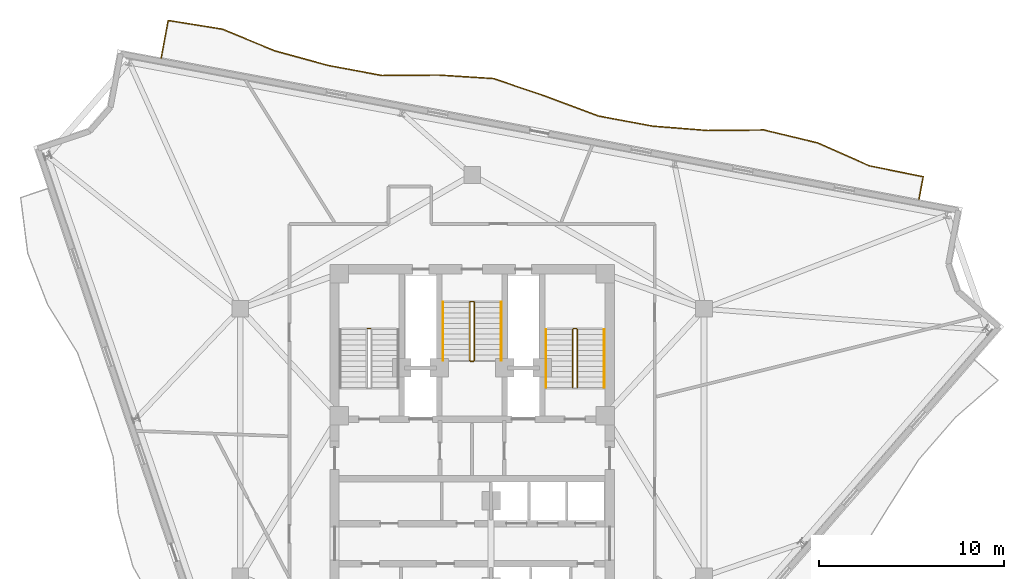
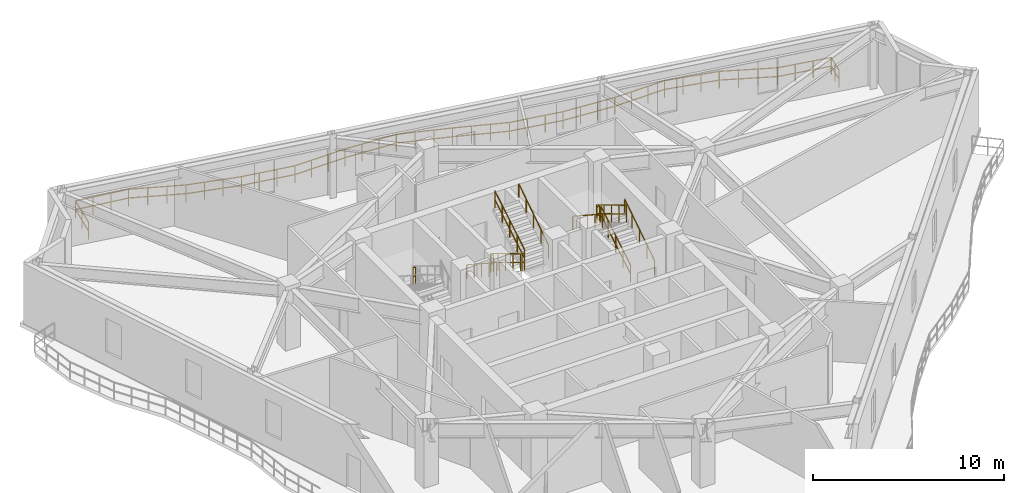
# One storey, part 9 of 9: 13 railings.
"""IFC4 building model written with IfcOpenShell, lengths in metres."""

from ifc_helpers import new_model, si_unit, direction, frame, origin, origin_2d, place, context, subcontext, project, spatial, rectangle, extrude, material, type_object, element, save


model = new_model("IFC4")

# Units and contexts
model_context = context("Model", 3, precision=1e-05, world=origin(), true_north=direction((0.0, 1.0)))
body_context = subcontext(model_context, "Body", "Model", "MODEL_VIEW")
ifc_project = project(units=[si_unit("LENGTHUNIT", "METRE"), si_unit("AREAUNIT", "SQUARE_METRE"), si_unit("VOLUMEUNIT", "CUBIC_METRE"), si_unit("PLANEANGLEUNIT", "RADIAN"), si_unit("MASSUNIT", "GRAM", prefix="KILO")], contexts=[model_context])

# Site, building, storey
site_placement = place(None, origin())
site = spatial("IfcSite", under=ifc_project, at=site_placement, CompositionType="ELEMENT")
building_placement = place(site_placement, origin())
building = spatial("IfcBuilding", under=site, at=building_placement, Name="Apsidion Concourse Tower", CompositionType="ELEMENT")
storey_placement = place(building_placement, frame((0.0, 0.0, 273.699951171875)))
storey = spatial("IfcBuildingStorey", under=building, at=storey_placement, Name="L64", CompositionType="ELEMENT", Elevation=273.699951171875)

# Railings
ifc_material = material(Name="Brushed stainless steel 316", Category="steel")
railing_type_1 = type_object("IfcRailingType", Name="RL-BAL-1120", PredefinedType="BALUSTRADE", material=ifc_material)
railing_1_placement = place(storey_placement, frame((-16.84228515625, 20.8583984375, 0.0)))
element("IfcRailing", 1, at=railing_1_placement, inside=storey, type_object=railing_type_1, Name="L64 Face 3 Rippling Balcony Balustrade", PredefinedType="BALUSTRADE", context=body_context, shape_type="SweptSolid", body=[
    extrude(rectangle(XDim=0.048095703125, YDim=0.048095703125, at=origin_2d()), frame((0.0, 0.0, 1.09619140625), z_axis=(0.183965010851, 0.982932792607, 0.0), x_axis=(-0.982932792607, 0.183965010851, 0.0)), (0.0, 0.0, 1.0), 2.05029296875),
    extrude(rectangle(XDim=0.048095703125, YDim=0.048095703125, at=origin_2d()), frame((0.0, 0.0, 0.5361328125), z_axis=(0.183965010851, 0.982932792607, 0.0), x_axis=(-0.982932792607, 0.183965010851, 0.0)), (0.0, 0.0, 1.0), 2.05029296875),
    extrude(rectangle(XDim=0.048095703125, YDim=0.048095703125, at=origin_2d()), frame((0.377197265625, 2.015380859375, 1.09619140625), z_axis=(0.987334720114, -0.158651033587, 0.0), x_axis=(0.158651033587, 0.987334720114, 0.0)), (0.0, 0.0, 1.0), 2.98388671875),
    extrude(rectangle(XDim=0.048095703125, YDim=0.048095703125, at=origin_2d()), frame((0.377197265625, 2.015380859375, 0.5361328125), z_axis=(0.987334720114, -0.158651033587, 0.0), x_axis=(0.158651033587, 0.987334720114, 0.0)), (0.0, 0.0, 1.0), 2.98388671875),
    extrude(rectangle(XDim=0.048095703125, YDim=0.048095703125, at=origin_2d()), frame((3.3232421875, 1.5419921875, 1.09619140625), z_axis=(0.923901668126, -0.382629987892, 0.0), x_axis=(0.382629987892, 0.923901668126, 0.0)), (0.0, 0.0, 1.0), 3.048583984375),
    extrude(rectangle(XDim=0.048095703125, YDim=0.048095703125, at=origin_2d()), frame((3.3232421875, 1.5419921875, 0.5361328125), z_axis=(0.923901668126, -0.382629987892, 0.0), x_axis=(0.382629987892, 0.923901668126, 0.0)), (0.0, 0.0, 1.0), 3.048583984375),
    extrude(rectangle(XDim=0.048095703125, YDim=0.048095703125, at=origin_2d()), frame((6.139892578125, 0.37548828125, 1.09619140625), z_axis=(0.964316349229, -0.264752674414, 0.0), x_axis=(0.264752674414, 0.964316349229, 0.0)), (0.0, 0.0, 1.0), 2.9931640625),
    extrude(rectangle(XDim=0.048095703125, YDim=0.048095703125, at=origin_2d()), frame((6.139892578125, 0.37548828125, 0.5361328125), z_axis=(0.964316349229, -0.264752674414, 0.0), x_axis=(0.264752674414, 0.964316349229, 0.0)), (0.0, 0.0, 1.0), 2.9931640625),
    extrude(rectangle(XDim=0.048095703125, YDim=0.048095703125, at=origin_2d()), frame((9.0263671875, -0.4169921875, 1.09619140625), z_axis=(0.982959172668, -0.183824005147, 0.0), x_axis=(0.183824005147, 0.982959172668, 0.0)), (0.0, 0.0, 1.0), 2.98291015625),
    extrude(rectangle(XDim=0.048095703125, YDim=0.048095703125, at=origin_2d()), frame((9.0263671875, -0.4169921875, 0.5361328125), z_axis=(0.982959172668, -0.183824005147, 0.0), x_axis=(0.183824005147, 0.982959172668, 0.0)), (0.0, 0.0, 1.0), 2.98291015625),
    extrude(rectangle(XDim=0.048095703125, YDim=0.048095703125, at=origin_2d()), frame((11.95849609375, -0.96533203125, 1.09619140625), z_axis=(0.999964443666, 0.008432757737, 0.0), x_axis=(-0.008432757737, 0.999964443666, 0.0)), (0.0, 0.0, 1.0), 3.039794921875),
    extrude(rectangle(XDim=0.048095703125, YDim=0.048095703125, at=origin_2d()), frame((11.95849609375, -0.96533203125, 0.5361328125), z_axis=(0.999964443666, 0.008432757737, 0.0), x_axis=(-0.008432757737, 0.999964443666, 0.0)), (0.0, 0.0, 1.0), 3.039794921875),
    extrude(rectangle(XDim=0.048095703125, YDim=0.048095703125, at=origin_2d()), frame((14.998291015625, -0.939697265625, 1.09619140625), z_axis=(0.998000713943, -0.063202650016, 0.0), x_axis=(0.063202650016, 0.998000713943, 0.0)), (0.0, 0.0, 1.0), 3.00537109375),
    extrude(rectangle(XDim=0.048095703125, YDim=0.048095703125, at=origin_2d()), frame((14.998291015625, -0.939697265625, 0.5361328125), z_axis=(0.998000713943, -0.063202650016, 0.0), x_axis=(0.063202650016, 0.998000713943, 0.0)), (0.0, 0.0, 1.0), 3.00537109375),
    extrude(rectangle(XDim=0.048095703125, YDim=0.048095703125, at=origin_2d()), frame((17.99755859375, -1.129638671875, 1.09619140625), z_axis=(0.946811748958, -0.321787992373, 0.0), x_axis=(0.321787992373, 0.946811748958, 0.0)), (0.0, 0.0, 1.0), 3.013671875),
    extrude(rectangle(XDim=0.048095703125, YDim=0.048095703125, at=origin_2d()), frame((17.99755859375, -1.129638671875, 0.5361328125), z_axis=(0.946811748958, -0.321787992373, 0.0), x_axis=(0.321787992373, 0.946811748958, 0.0)), (0.0, 0.0, 1.0), 3.013671875),
    extrude(rectangle(XDim=0.048095703125, YDim=0.048095703125, at=origin_2d()), frame((20.850830078125, -2.099365234375, 1.09619140625), z_axis=(0.93669313917, -0.350151343038, 0.0), x_axis=(0.350151343038, 0.93669313917, 0.0)), (0.0, 0.0, 1.0), 3.028076171875),
    extrude(rectangle(XDim=0.048095703125, YDim=0.048095703125, at=origin_2d()), frame((20.850830078125, -2.099365234375, 0.5361328125), z_axis=(0.93669313917, -0.350151343038, 0.0), x_axis=(0.350151343038, 0.93669313917, 0.0)), (0.0, 0.0, 1.0), 3.028076171875),
    extrude(rectangle(XDim=0.048095703125, YDim=0.048095703125, at=origin_2d()), frame((23.687255859375, -3.15966796875, 1.09619140625), z_axis=(0.982959172668, -0.183824005147, 0.0), x_axis=(0.183824005147, 0.982959172668, 0.0)), (0.0, 0.0, 1.0), 2.98291015625),
    extrude(rectangle(XDim=0.048095703125, YDim=0.048095703125, at=origin_2d()), frame((23.687255859375, -3.15966796875, 0.5361328125), z_axis=(0.982959172668, -0.183824005147, 0.0), x_axis=(0.183824005147, 0.982959172668, 0.0)), (0.0, 0.0, 1.0), 2.98291015625),
    extrude(rectangle(XDim=0.048095703125, YDim=0.048095703125, at=origin_2d()), frame((26.619384765625, -3.7080078125, 1.09619140625), z_axis=(0.996885533231, -0.078862117863, 0.0), x_axis=(0.078862117863, 0.996885533231, 0.0)), (0.0, 0.0, 1.0), 2.999755859375),
    extrude(rectangle(XDim=0.048095703125, YDim=0.048095703125, at=origin_2d()), frame((26.619384765625, -3.7080078125, 0.5361328125), z_axis=(0.996885533231, -0.078862117863, 0.0), x_axis=(0.078862117863, 0.996885533231, 0.0)), (0.0, 0.0, 1.0), 2.999755859375),
    extrude(rectangle(XDim=0.048095703125, YDim=0.048095703125, at=origin_2d()), frame((29.60986328125, -3.944580078125, 1.09619140625), z_axis=(0.999953582202, 0.00963501123, 0.0), x_axis=(-0.00963501123, 0.999953582202, 0.0)), (0.0, 0.0, 1.0), 3.040771484375),
    extrude(rectangle(XDim=0.048095703125, YDim=0.048095703125, at=origin_2d()), frame((29.60986328125, -3.944580078125, 0.5361328125), z_axis=(0.999953582202, 0.00963501123, 0.0), x_axis=(-0.00963501123, 0.999953582202, 0.0)), (0.0, 0.0, 1.0), 3.040771484375),
    extrude(rectangle(XDim=0.048095703125, YDim=0.048095703125, at=origin_2d()), frame((32.650390625, -3.915283203125, 1.09619140625), z_axis=(0.972332372169, -0.233601708109, 0.0), x_axis=(0.233601708109, 0.972332372169, 0.0)), (0.0, 0.0, 1.0), 2.98681640625),
    extrude(rectangle(XDim=0.048095703125, YDim=0.048095703125, at=origin_2d()), frame((32.650390625, -3.915283203125, 0.5361328125), z_axis=(0.972332372169, -0.233601708109, 0.0), x_axis=(0.233601708109, 0.972332372169, 0.0)), (0.0, 0.0, 1.0), 2.98681640625),
    extrude(rectangle(XDim=0.048095703125, YDim=0.048095703125, at=origin_2d()), frame((35.5546875, -4.613037109375, 1.09619140625), z_axis=(0.914146232426, -0.405384589915, 0.0), x_axis=(0.405384589915, 0.914146232426, 0.0)), (0.0, 0.0, 1.0), 3.0654296875),
    extrude(rectangle(XDim=0.048095703125, YDim=0.048095703125, at=origin_2d()), frame((35.5546875, -4.613037109375, 0.5361328125), z_axis=(0.914146232426, -0.405384589915, 0.0), x_axis=(0.405384589915, 0.914146232426, 0.0)), (0.0, 0.0, 1.0), 3.0654296875),
    extrude(rectangle(XDim=0.048095703125, YDim=0.048095703125, at=origin_2d()), frame((38.35693359375, -5.855712890625, 1.09619140625), z_axis=(0.979910917919, -0.199435686234, 0.0), x_axis=(0.199435686234, 0.979910917919, 0.0)), (0.0, 0.0, 1.0), 2.983154296875),
    extrude(rectangle(XDim=0.048095703125, YDim=0.048095703125, at=origin_2d()), frame((38.35693359375, -5.855712890625, 0.5361328125), z_axis=(0.979910917919, -0.199435686234, 0.0), x_axis=(0.199435686234, 0.979910917919, 0.0)), (0.0, 0.0, 1.0), 2.983154296875),
    extrude(rectangle(XDim=0.048095703125, YDim=0.048095703125, at=origin_2d()), frame((41.2802734375, -6.45068359375, 1.09619140625), z_axis=(-0.183781456041, -0.982967128858, 0.0), x_axis=(0.982967128858, -0.183781456041, 0.0)), (0.0, 0.0, 1.0), 1.25),
    extrude(rectangle(XDim=0.048095703125, YDim=0.048095703125, at=origin_2d()), frame((41.2802734375, -6.45068359375, 0.5361328125), z_axis=(-0.183781456041, -0.982967128858, 0.0), x_axis=(0.982967128858, -0.183781456041, 0.0)), (0.0, 0.0, 1.0), 1.25),
    extrude(rectangle(XDim=0.0419921875, YDim=0.0419921875, at=origin_2d()), origin(), (0.0, 0.0, 1.0), 1.072021484375),
    extrude(rectangle(XDim=0.0419921875, YDim=0.0419921875, at=origin_2d()), frame((0.1884765625, 1.0078125, 0.0)), (0.0, 0.0, 1.0), 1.072021484375),
    extrude(rectangle(XDim=0.0419921875, YDim=0.0419921875, at=origin_2d()), frame((0.377197265625, 2.015380859375, 0.0)), (0.0, 0.0, 1.0), 1.072021484375),
    extrude(rectangle(XDim=0.0419921875, YDim=0.0419921875, at=origin_2d()), frame((1.359130859375, 1.857666015625, 0.0)), (0.0, 0.0, 1.0), 1.072021484375),
    extrude(rectangle(XDim=0.0419921875, YDim=0.0419921875, at=origin_2d()), frame((2.34130859375, 1.69970703125, 0.0)), (0.0, 0.0, 1.0), 1.072021484375),
    extrude(rectangle(XDim=0.0419921875, YDim=0.0419921875, at=origin_2d()), frame((3.3232421875, 1.5419921875, 0.0)), (0.0, 0.0, 1.0), 1.072021484375),
    extrude(rectangle(XDim=0.0419921875, YDim=0.0419921875, at=origin_2d()), frame((4.26220703125, 1.153076171875, 0.0)), (0.0, 0.0, 1.0), 1.072021484375),
    extrude(rectangle(XDim=0.0419921875, YDim=0.0419921875, at=origin_2d()), frame((5.200927734375, 0.764404296875, 0.0)), (0.0, 0.0, 1.0), 1.072021484375),
    extrude(rectangle(XDim=0.0419921875, YDim=0.0419921875, at=origin_2d()), frame((6.139892578125, 0.37548828125, 0.0)), (0.0, 0.0, 1.0), 1.072021484375),
    extrude(rectangle(XDim=0.0419921875, YDim=0.0419921875, at=origin_2d()), frame((7.10205078125, 0.111328125, 0.0)), (0.0, 0.0, 1.0), 1.072021484375),
    extrude(rectangle(XDim=0.0419921875, YDim=0.0419921875, at=origin_2d()), frame((8.064208984375, -0.15283203125, 0.0)), (0.0, 0.0, 1.0), 1.072021484375),
    extrude(rectangle(XDim=0.0419921875, YDim=0.0419921875, at=origin_2d()), frame((9.0263671875, -0.4169921875, 0.0)), (0.0, 0.0, 1.0), 1.072021484375),
    extrude(rectangle(XDim=0.0419921875, YDim=0.0419921875, at=origin_2d()), frame((10.003662109375, -0.599853515625, 0.0)), (0.0, 0.0, 1.0), 1.072021484375),
    extrude(rectangle(XDim=0.0419921875, YDim=0.0419921875, at=origin_2d()), frame((10.981201171875, -0.782470703125, 0.0)), (0.0, 0.0, 1.0), 1.072021484375),
    extrude(rectangle(XDim=0.0419921875, YDim=0.0419921875, at=origin_2d()), frame((11.95849609375, -0.96533203125, 0.0)), (0.0, 0.0, 1.0), 1.072021484375),
    extrude(rectangle(XDim=0.0419921875, YDim=0.0419921875, at=origin_2d()), frame((12.9716796875, -0.956787109375, 0.0)), (0.0, 0.0, 1.0), 1.072021484375),
    extrude(rectangle(XDim=0.0419921875, YDim=0.0419921875, at=origin_2d()), frame((13.985107421875, -0.9482421875, 0.0)), (0.0, 0.0, 1.0), 1.072021484375),
    extrude(rectangle(XDim=0.0419921875, YDim=0.0419921875, at=origin_2d()), frame((14.998291015625, -0.939697265625, 0.0)), (0.0, 0.0, 1.0), 1.072021484375),
    extrude(rectangle(XDim=0.0419921875, YDim=0.0419921875, at=origin_2d()), frame((15.998046875, -1.0029296875, 0.0)), (0.0, 0.0, 1.0), 1.072021484375),
    extrude(rectangle(XDim=0.0419921875, YDim=0.0419921875, at=origin_2d()), frame((16.997802734375, -1.06640625, 0.0)), (0.0, 0.0, 1.0), 1.072021484375),
    extrude(rectangle(XDim=0.0419921875, YDim=0.0419921875, at=origin_2d()), frame((17.99755859375, -1.129638671875, 0.0)), (0.0, 0.0, 1.0), 1.072021484375),
    extrude(rectangle(XDim=0.0419921875, YDim=0.0419921875, at=origin_2d()), frame((18.94873046875, -1.452880859375, 0.0)), (0.0, 0.0, 1.0), 1.072021484375),
    extrude(rectangle(XDim=0.0419921875, YDim=0.0419921875, at=origin_2d()), frame((19.899658203125, -1.776123046875, 0.0)), (0.0, 0.0, 1.0), 1.072021484375),
    extrude(rectangle(XDim=0.0419921875, YDim=0.0419921875, at=origin_2d()), frame((20.850830078125, -2.099365234375, 0.0)), (0.0, 0.0, 1.0), 1.072021484375),
    extrude(rectangle(XDim=0.0419921875, YDim=0.0419921875, at=origin_2d()), frame((21.79638671875, -2.452880859375, 0.0)), (0.0, 0.0, 1.0), 1.072021484375),
    extrude(rectangle(XDim=0.0419921875, YDim=0.0419921875, at=origin_2d()), frame((22.74169921875, -2.80615234375, 0.0)), (0.0, 0.0, 1.0), 1.072021484375),
    extrude(rectangle(XDim=0.0419921875, YDim=0.0419921875, at=origin_2d()), frame((23.687255859375, -3.15966796875, 0.0)), (0.0, 0.0, 1.0), 1.072021484375),
    extrude(rectangle(XDim=0.0419921875, YDim=0.0419921875, at=origin_2d()), frame((24.66455078125, -3.342529296875, 0.0)), (0.0, 0.0, 1.0), 1.072021484375),
    extrude(rectangle(XDim=0.0419921875, YDim=0.0419921875, at=origin_2d()), frame((25.64208984375, -3.525146484375, 0.0)), (0.0, 0.0, 1.0), 1.072021484375),
    extrude(rectangle(XDim=0.0419921875, YDim=0.0419921875, at=origin_2d()), frame((26.619384765625, -3.7080078125, 0.0)), (0.0, 0.0, 1.0), 1.072021484375),
    extrude(rectangle(XDim=0.0419921875, YDim=0.0419921875, at=origin_2d()), frame((27.6162109375, -3.786865234375, 0.0)), (0.0, 0.0, 1.0), 1.072021484375),
    extrude(rectangle(XDim=0.0419921875, YDim=0.0419921875, at=origin_2d()), frame((28.613037109375, -3.86572265625, 0.0)), (0.0, 0.0, 1.0), 1.072021484375),
    extrude(rectangle(XDim=0.0419921875, YDim=0.0419921875, at=origin_2d()), frame((29.60986328125, -3.944580078125, 0.0)), (0.0, 0.0, 1.0), 1.072021484375),
    extrude(rectangle(XDim=0.0419921875, YDim=0.0419921875, at=origin_2d()), frame((30.623291015625, -3.934814453125, 0.0)), (0.0, 0.0, 1.0), 1.072021484375),
    extrude(rectangle(XDim=0.0419921875, YDim=0.0419921875, at=origin_2d()), frame((31.636962890625, -3.925048828125, 0.0)), (0.0, 0.0, 1.0), 1.072021484375),
    extrude(rectangle(XDim=0.0419921875, YDim=0.0419921875, at=origin_2d()), frame((32.650390625, -3.915283203125, 0.0)), (0.0, 0.0, 1.0), 1.072021484375),
    extrude(rectangle(XDim=0.0419921875, YDim=0.0419921875, at=origin_2d()), frame((33.618408203125, -4.14794921875, 0.0)), (0.0, 0.0, 1.0), 1.072021484375),
    extrude(rectangle(XDim=0.0419921875, YDim=0.0419921875, at=origin_2d()), frame((34.586669921875, -4.38037109375, 0.0)), (0.0, 0.0, 1.0), 1.072021484375),
    extrude(rectangle(XDim=0.0419921875, YDim=0.0419921875, at=origin_2d()), frame((35.5546875, -4.613037109375, 0.0)), (0.0, 0.0, 1.0), 1.072021484375),
    extrude(rectangle(XDim=0.0419921875, YDim=0.0419921875, at=origin_2d()), frame((36.48876953125, -5.02734375, 0.0)), (0.0, 0.0, 1.0), 1.072021484375),
    extrude(rectangle(XDim=0.0419921875, YDim=0.0419921875, at=origin_2d()), frame((37.4228515625, -5.44140625, 0.0)), (0.0, 0.0, 1.0), 1.072021484375),
    extrude(rectangle(XDim=0.0419921875, YDim=0.0419921875, at=origin_2d()), frame((38.35693359375, -5.855712890625, 0.0)), (0.0, 0.0, 1.0), 1.072021484375),
    extrude(rectangle(XDim=0.0419921875, YDim=0.0419921875, at=origin_2d()), frame((39.331298828125, -6.053955078125, 0.0)), (0.0, 0.0, 1.0), 1.072021484375),
    extrude(rectangle(XDim=0.0419921875, YDim=0.0419921875, at=origin_2d()), frame((40.305908203125, -6.25244140625, 0.0)), (0.0, 0.0, 1.0), 1.072021484375),
    extrude(rectangle(XDim=0.0419921875, YDim=0.0419921875, at=origin_2d()), frame((41.2802734375, -6.45068359375, 0.0)), (0.0, 0.0, 1.0), 1.072021484375),
    extrude(rectangle(XDim=0.0419921875, YDim=0.0419921875, at=origin_2d()), frame((41.16552734375, -7.06494140625, 0.0)), (0.0, 0.0, 1.0), 1.072021484375),
    extrude(rectangle(XDim=0.0419921875, YDim=0.0419921875, at=origin_2d()), frame((41.050537109375, -7.679443359375, 0.0)), (0.0, 0.0, 1.0), 1.072021484375),
])
railing_type_2 = type_object("IfcRailingType", Name="RL-GUARD-1100", PredefinedType="GUARDRAIL", material=ifc_material)
railing_2_placement = place(storey_placement, frame((-5.5, 6.18505859375, 2.050048828125)))
element("IfcRailing", 2, at=railing_2_placement, inside=storey, type_object=railing_type_2, Name="L64 ST1 stair guard 2", PredefinedType="GUARDRAIL", context=body_context, shape_type="SweptSolid", body=[
    extrude(rectangle(XDim=0.048095703125, YDim=0.048095703125, at=origin_2d()), frame((0.0, 0.0, 1.09619140625), z_axis=(-1.0, 0.0, 0.0), x_axis=(0.0, -1.0, 0.0)), (0.0, 0.0, 1.0), 0.14990234375),
    extrude(rectangle(XDim=0.048095703125, YDim=0.048095703125, at=origin_2d()), frame((0.0, 0.0, 0.5361328125), z_axis=(-1.0, 0.0, 0.0), x_axis=(0.0, -1.0, 0.0)), (0.0, 0.0, 1.0), 0.14990234375),
    extrude(rectangle(XDim=0.0419921875, YDim=0.0419921875, at=origin_2d()), origin(), (0.0, 0.0, 1.0), 1.072021484375),
    extrude(rectangle(XDim=0.0419921875, YDim=0.0419921875, at=origin_2d()), frame((-0.14990234375, 0.0, 0.0)), (0.0, 0.0, 1.0), 1.072021484375),
])
railing_3_placement = place(storey_placement, frame((5.699951171875, 3.0, 0.1708984375)))
element("IfcRailing", 3, at=railing_3_placement, inside=storey, type_object=railing_type_2, Name="L64 ST2 stair guard 1", PredefinedType="GUARDRAIL", context=body_context, shape_type="SweptSolid", body=[
    extrude(rectangle(XDim=0.048095703125, YDim=0.048095703125, at=origin_2d()), frame((0.0, 0.0, 1.09619140625), z_axis=(0.0, 0.857716804754, 0.514122439544), x_axis=(-1.0, 0.0, 0.0)), (0.0, 0.0, 1.0), 3.655029296875),
    extrude(rectangle(XDim=0.048095703125, YDim=0.048095703125, at=origin_2d()), frame((0.0, 0.0, 0.5361328125), z_axis=(0.0, 0.857716804754, 0.514122439544), x_axis=(-1.0, 0.0, 0.0)), (0.0, 0.0, 1.0), 3.655029296875),
    extrude(rectangle(XDim=0.0419921875, YDim=0.0419921875, at=origin_2d()), origin(), (0.0, 0.0, 1.0), 1.072021484375),
    extrude(rectangle(XDim=0.0419921875, YDim=0.0419921875, at=origin_2d()), frame((0.0, 0.78369140625, 0.4697265625)), (0.0, 0.0, 1.0), 1.072021484375),
    extrude(rectangle(XDim=0.0419921875, YDim=0.0419921875, at=origin_2d()), frame((0.0, 1.5673828125, 0.939453125)), (0.0, 0.0, 1.0), 1.072021484375),
    extrude(rectangle(XDim=0.0419921875, YDim=0.0419921875, at=origin_2d()), frame((0.0, 2.351318359375, 1.409423828125)), (0.0, 0.0, 1.0), 1.072021484375),
    extrude(rectangle(XDim=0.0419921875, YDim=0.0419921875, at=origin_2d()), frame((0.0, 3.135009765625, 1.879150390625)), (0.0, 0.0, 1.0), 1.072021484375),
])
railing_4_placement = place(storey_placement, frame((5.64990234375, 6.18505859375, 2.050048828125)))
element("IfcRailing", 4, at=railing_4_placement, inside=storey, type_object=railing_type_2, Name="L64 ST2 stair guard 2", PredefinedType="GUARDRAIL", context=body_context, shape_type="SweptSolid", body=[
    extrude(rectangle(XDim=0.048095703125, YDim=0.048095703125, at=origin_2d()), frame((0.0, 0.0, 1.09619140625), z_axis=(-1.0, 0.0, 0.0), x_axis=(0.0, -1.0, 0.0)), (0.0, 0.0, 1.0), 0.14990234375),
    extrude(rectangle(XDim=0.048095703125, YDim=0.048095703125, at=origin_2d()), frame((0.0, 0.0, 0.5361328125), z_axis=(-1.0, 0.0, 0.0), x_axis=(0.0, -1.0, 0.0)), (0.0, 0.0, 1.0), 0.14990234375),
    extrude(rectangle(XDim=0.0419921875, YDim=0.0419921875, at=origin_2d()), origin(), (0.0, 0.0, 1.0), 1.072021484375),
    extrude(rectangle(XDim=0.0419921875, YDim=0.0419921875, at=origin_2d()), frame((-0.14990234375, 0.0, 0.0)), (0.0, 0.0, 1.0), 1.072021484375),
])
for number, where, name in (
    (5, (5.449951171875, 6.135009765625, 2.220947265625), "L64 ST2 stair guard 3"),
    (6, (-0.125, 7.60009765625, 0.1708984375), "L64 ST3 stair guard 1"),
):
    element("IfcRailing", number, at=place(storey_placement, frame(where)), inside=storey, type_object=railing_type_2, Name=name, PredefinedType="GUARDRAIL", context=body_context, shape_type="SweptSolid", body=[
        extrude(rectangle(XDim=0.048095703125, YDim=0.048095703125, at=origin_2d()), frame((0.0, 0.0, 1.09619140625), z_axis=(0.0, -0.857716804754, 0.514122439544), x_axis=(1.0, 0.0, 0.0)), (0.0, 0.0, 1.0), 3.655029296875),
        extrude(rectangle(XDim=0.048095703125, YDim=0.048095703125, at=origin_2d()), frame((0.0, 0.0, 0.5361328125), z_axis=(0.0, -0.857716804754, 0.514122439544), x_axis=(1.0, 0.0, 0.0)), (0.0, 0.0, 1.0), 3.655029296875),
        extrude(rectangle(XDim=0.0419921875, YDim=0.0419921875, at=origin_2d()), origin(), (0.0, 0.0, 1.0), 1.072021484375),
        extrude(rectangle(XDim=0.0419921875, YDim=0.0419921875, at=origin_2d()), frame((0.0, -0.78369140625, 0.4697265625)), (0.0, 0.0, 1.0), 1.072021484375),
        extrude(rectangle(XDim=0.0419921875, YDim=0.0419921875, at=origin_2d()), frame((0.0, -1.5673828125, 0.939453125)), (0.0, 0.0, 1.0), 1.072021484375),
        extrude(rectangle(XDim=0.0419921875, YDim=0.0419921875, at=origin_2d()), frame((0.0, -2.351318359375, 1.409423828125)), (0.0, 0.0, 1.0), 1.072021484375),
        extrude(rectangle(XDim=0.0419921875, YDim=0.0419921875, at=origin_2d()), frame((0.0, -3.135009765625, 1.879150390625)), (0.0, 0.0, 1.0), 1.072021484375),
    ])
railing_5_placement = place(storey_placement, frame((-0.074951171875, 4.4150390625, 2.050048828125)))
element("IfcRailing", 7, at=railing_5_placement, inside=storey, type_object=railing_type_2, Name="L64 ST3 stair guard 2", PredefinedType="GUARDRAIL", context=body_context, shape_type="SweptSolid", body=[
    extrude(rectangle(XDim=0.048095703125, YDim=0.048095703125, at=origin_2d()), frame((0.0, 0.0, 1.09619140625), z_axis=(1.0, 0.0, 0.0), x_axis=(0.0, 1.0, 0.0)), (0.0, 0.0, 1.0), 0.14990234375),
    extrude(rectangle(XDim=0.048095703125, YDim=0.048095703125, at=origin_2d()), frame((0.0, 0.0, 0.5361328125), z_axis=(1.0, 0.0, 0.0), x_axis=(0.0, 1.0, 0.0)), (0.0, 0.0, 1.0), 0.14990234375),
    extrude(rectangle(XDim=0.0419921875, YDim=0.0419921875, at=origin_2d()), origin(), (0.0, 0.0, 1.0), 1.072021484375),
    extrude(rectangle(XDim=0.0419921875, YDim=0.0419921875, at=origin_2d()), frame((0.14990234375, 0.0, 0.0)), (0.0, 0.0, 1.0), 1.072021484375),
])
railing_6_placement = place(storey_placement, frame((0.125, 4.465087890625, 2.220947265625)))
element("IfcRailing", 8, at=railing_6_placement, inside=storey, type_object=railing_type_2, Name="L64 ST3 stair guard 3", PredefinedType="GUARDRAIL", context=body_context, shape_type="SweptSolid", body=[
    extrude(rectangle(XDim=0.048095703125, YDim=0.048095703125, at=origin_2d()), frame((0.0, 0.0, 1.09619140625), z_axis=(0.0, 0.857716804754, 0.514122439544), x_axis=(-1.0, 0.0, 0.0)), (0.0, 0.0, 1.0), 3.655029296875),
    extrude(rectangle(XDim=0.048095703125, YDim=0.048095703125, at=origin_2d()), frame((0.0, 0.0, 0.5361328125), z_axis=(0.0, 0.857716804754, 0.514122439544), x_axis=(-1.0, 0.0, 0.0)), (0.0, 0.0, 1.0), 3.655029296875),
    extrude(rectangle(XDim=0.0419921875, YDim=0.0419921875, at=origin_2d()), origin(), (0.0, 0.0, 1.0), 1.072021484375),
    extrude(rectangle(XDim=0.0419921875, YDim=0.0419921875, at=origin_2d()), frame((0.0, 0.78369140625, 0.4697265625)), (0.0, 0.0, 1.0), 1.072021484375),
    extrude(rectangle(XDim=0.0419921875, YDim=0.0419921875, at=origin_2d()), frame((0.0, 1.5673828125, 0.939453125)), (0.0, 0.0, 1.0), 1.072021484375),
    extrude(rectangle(XDim=0.0419921875, YDim=0.0419921875, at=origin_2d()), frame((0.0, 2.351318359375, 1.409423828125)), (0.0, 0.0, 1.0), 1.072021484375),
    extrude(rectangle(XDim=0.0419921875, YDim=0.0419921875, at=origin_2d()), frame((0.0, 3.135009765625, 1.879150390625)), (0.0, 0.0, 1.0), 1.072021484375),
])
railing_7_placement = place(storey_placement, frame((-0.074951171875, 7.64990234375, 0.0)))
element("IfcRailing", 9, at=railing_7_placement, inside=storey, type_object=railing_type_2, Name="L64 ST3 stair guard 4", PredefinedType="GUARDRAIL", context=body_context, shape_type="SweptSolid", body=[
    extrude(rectangle(XDim=0.048095703125, YDim=0.048095703125, at=origin_2d()), frame((0.0, 0.0, 1.09619140625), z_axis=(1.0, 0.0, 0.0), x_axis=(0.0, 1.0, 0.0)), (0.0, 0.0, 1.0), 0.14990234375),
    extrude(rectangle(XDim=0.048095703125, YDim=0.048095703125, at=origin_2d()), frame((0.0, 0.0, 0.5361328125), z_axis=(1.0, 0.0, 0.0), x_axis=(0.0, 1.0, 0.0)), (0.0, 0.0, 1.0), 0.14990234375),
    extrude(rectangle(XDim=0.0419921875, YDim=0.0419921875, at=origin_2d()), origin(), (0.0, 0.0, 1.0), 1.072021484375),
    extrude(rectangle(XDim=0.0419921875, YDim=0.0419921875, at=origin_2d()), frame((0.14990234375, 0.0, 0.0)), (0.0, 0.0, 1.0), 1.072021484375),
])
railing_type_3 = type_object("IfcRailingType", Name="RL-HAND-900", PredefinedType="HANDRAIL", material=ifc_material)
railing_8_placement = place(storey_placement, frame((7.14990234375, 3.0, 0.1708984375)))
element("IfcRailing", 10, at=railing_8_placement, inside=storey, type_object=railing_type_3, Name="L64 ST2 stair handrail 1", PredefinedType="HANDRAIL", context=body_context, shape_type="SweptSolid", body=[
    extrude(rectangle(XDim=0.048095703125, YDim=0.048095703125, at=origin_2d()), frame((0.0, 0.0, 0.8759765625), z_axis=(0.0, 0.836940907821, 0.547293263996), x_axis=(-1.0, 0.0, 0.0)), (0.0, 0.0, 1.0), 3.745849609375),
    extrude(rectangle(XDim=0.0419921875, YDim=0.0419921875, at=origin_2d()), origin(), (0.0, 0.0, 1.0), 0.851806640625),
    extrude(rectangle(XDim=0.0419921875, YDim=0.0419921875, at=origin_2d()), frame((0.0, 0.78369140625, 0.512451171875)), (0.0, 0.0, 1.0), 0.851806640625),
    extrude(rectangle(XDim=0.0419921875, YDim=0.0419921875, at=origin_2d()), frame((0.0, 1.5673828125, 1.02490234375)), (0.0, 0.0, 1.0), 0.851806640625),
    extrude(rectangle(XDim=0.0419921875, YDim=0.0419921875, at=origin_2d()), frame((0.0, 2.351318359375, 1.53759765625)), (0.0, 0.0, 1.0), 0.851806640625),
    extrude(rectangle(XDim=0.0419921875, YDim=0.0419921875, at=origin_2d()), frame((0.0, 3.135009765625, 2.050048828125)), (0.0, 0.0, 1.0), 0.851806640625),
])
for number, where, name in (
    (11, (4.0, 6.135009765625, 2.220947265625), "L64 ST2 stair handrail 2"),
    (12, (-1.574951171875, 7.60009765625, 0.1708984375), "L64 ST3 stair handrail 1"),
):
    element("IfcRailing", number, at=place(storey_placement, frame(where)), inside=storey, type_object=railing_type_3, Name=name, PredefinedType="HANDRAIL", context=body_context, shape_type="SweptSolid", body=[
        extrude(rectangle(XDim=0.048095703125, YDim=0.048095703125, at=origin_2d()), frame((0.0, 0.0, 0.8759765625), z_axis=(0.0, -0.836940907821, 0.547293263996), x_axis=(1.0, 0.0, 0.0)), (0.0, 0.0, 1.0), 3.745849609375),
        extrude(rectangle(XDim=0.0419921875, YDim=0.0419921875, at=origin_2d()), origin(), (0.0, 0.0, 1.0), 0.851806640625),
        extrude(rectangle(XDim=0.0419921875, YDim=0.0419921875, at=origin_2d()), frame((0.0, -0.78369140625, 0.512451171875)), (0.0, 0.0, 1.0), 0.851806640625),
        extrude(rectangle(XDim=0.0419921875, YDim=0.0419921875, at=origin_2d()), frame((0.0, -1.5673828125, 1.02490234375)), (0.0, 0.0, 1.0), 0.851806640625),
        extrude(rectangle(XDim=0.0419921875, YDim=0.0419921875, at=origin_2d()), frame((0.0, -2.351318359375, 1.53759765625)), (0.0, 0.0, 1.0), 0.851806640625),
        extrude(rectangle(XDim=0.0419921875, YDim=0.0419921875, at=origin_2d()), frame((0.0, -3.135009765625, 2.050048828125)), (0.0, 0.0, 1.0), 0.851806640625),
    ])
railing_9_placement = place(storey_placement, frame((1.574951171875, 4.465087890625, 2.220947265625)))
element("IfcRailing", 13, at=railing_9_placement, inside=storey, type_object=railing_type_3, Name="L64 ST3 stair handrail 2", PredefinedType="HANDRAIL", context=body_context, shape_type="SweptSolid", body=[
    extrude(rectangle(XDim=0.048095703125, YDim=0.048095703125, at=origin_2d()), frame((0.0, 0.0, 0.8759765625), z_axis=(0.0, 0.836940907821, 0.547293263996), x_axis=(-1.0, 0.0, 0.0)), (0.0, 0.0, 1.0), 3.745849609375),
    extrude(rectangle(XDim=0.0419921875, YDim=0.0419921875, at=origin_2d()), origin(), (0.0, 0.0, 1.0), 0.851806640625),
    extrude(rectangle(XDim=0.0419921875, YDim=0.0419921875, at=origin_2d()), frame((0.0, 0.78369140625, 0.512451171875)), (0.0, 0.0, 1.0), 0.851806640625),
    extrude(rectangle(XDim=0.0419921875, YDim=0.0419921875, at=origin_2d()), frame((0.0, 1.5673828125, 1.02490234375)), (0.0, 0.0, 1.0), 0.851806640625),
    extrude(rectangle(XDim=0.0419921875, YDim=0.0419921875, at=origin_2d()), frame((0.0, 2.351318359375, 1.53759765625)), (0.0, 0.0, 1.0), 0.851806640625),
    extrude(rectangle(XDim=0.0419921875, YDim=0.0419921875, at=origin_2d()), frame((0.0, 3.135009765625, 2.050048828125)), (0.0, 0.0, 1.0), 0.851806640625),
])

save(model, "model.ifc")
